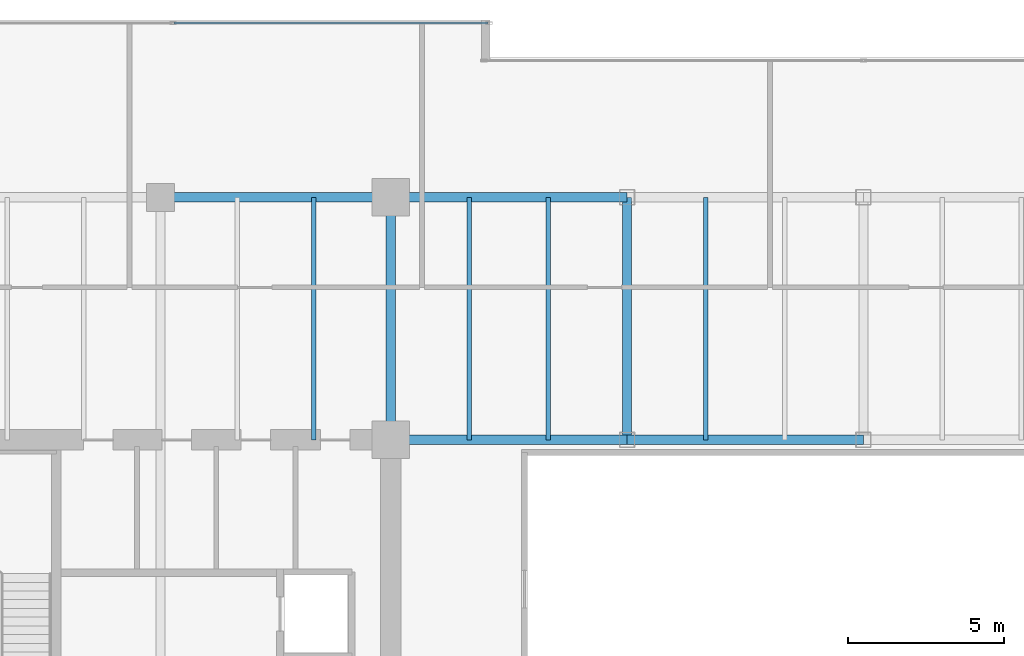
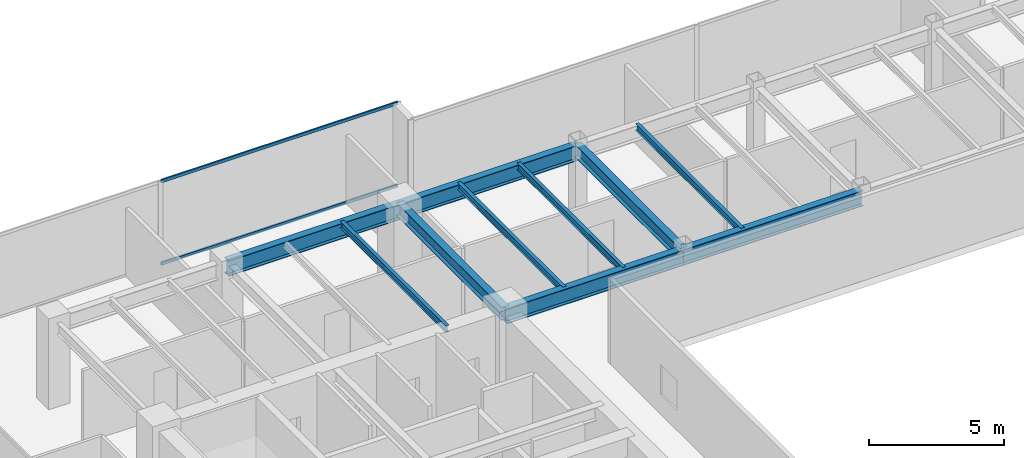
# One storey, part 15 of 30: 10 beams, 2 members, 1 element without a shape of its own.
"""IFC4 building model written with IfcOpenShell, lengths in metres."""

from ifc_helpers import new_model, si_unit, direction, frame, origin, origin_2d, place, context, subcontext, project, spatial, hollow_rectangle, i_section, extrude, source, transform, mapped, material, layer, layer_set, material_profile, profile_set, type_object, type_shapes, element, aggregate, save


model = new_model("IFC4")

# Units and contexts
model_context = context("Model", 3, precision=1e-05, world=origin(), true_north=direction((0.0, 1.0)))
body_context = subcontext(model_context, "Body", "Model", "MODEL_VIEW")
ifc_project = project(units=[si_unit("LENGTHUNIT", "METRE"), si_unit("AREAUNIT", "SQUARE_METRE"), si_unit("VOLUMEUNIT", "CUBIC_METRE"), si_unit("PLANEANGLEUNIT", "RADIAN"), si_unit("MASSUNIT", "GRAM", prefix="KILO")], contexts=[model_context])

# Site, building, storey
site_placement = place(None, origin())
site = spatial("IfcSite", under=ifc_project, at=site_placement, CompositionType="ELEMENT")
building_placement = place(site_placement, origin())
building = spatial("IfcBuilding", under=site, at=building_placement, Name="Haelvirn Gate Laboratories", CompositionType="ELEMENT")
storey_placement = place(building_placement, frame((0.0, 0.0, 170.699951171875)))
storey = spatial("IfcBuildingStorey", under=building, at=storey_placement, Name="L41", CompositionType="ELEMENT", Elevation=170.699951171875)

# Beams
ifc_material_1 = material(Name="Steel SM355", Category="steel")
ifc_material_profile_1 = material_profile(ifc_material_1, i_section(OverallWidth=0.300048828125, OverallDepth=0.699951171875, WebThickness=0.012939453125, FlangeThickness=0.02392578125, at=origin_2d()), Name="H-700x300x13x24")
ifc_profile_set_1 = profile_set([ifc_material_profile_1], Name="Steel SM355")
beam_type_1 = type_object("IfcBeamType", Name="BM-G-700", PredefinedType="BEAM", material=ifc_profile_set_1)
shared_shape_1 = source(origin(), body_context, "Body", "SweptSolid", [
    extrude(i_section(OverallWidth=0.300048828125, OverallDepth=0.699951171875, WebThickness=0.012939453125, FlangeThickness=0.02392578125, at=origin_2d()), origin(), (0.0, 0.0, 1.0), 7.39990234375),
])
beam_1_placement = place(storey_placement, frame((14.800048828125, 41.60009765625, 3.43994140625), z_axis=(1.0, 0.0, 0.0), x_axis=(0.0, 1.0, 0.0)))
element("IfcBeam", 1, at=beam_1_placement, inside=storey, type_object=beam_type_1, Name="L41 Primary Girder Y41.6 (14.8-22.2)", PredefinedType="BEAM", context=body_context, shape_type="MappedRepresentation", body=[
    mapped(shared_shape_1, transform((0.0, 0.0, 0.0), scale=1.0)),
])
shared_shape_2 = source(origin(), body_context, "Body", "SweptSolid", [
    extrude(i_section(OverallWidth=0.300048828125, OverallDepth=0.699951171875, WebThickness=0.012939453125, FlangeThickness=0.02392578125, at=origin_2d()), origin(), (0.0, 0.0, 1.0), 7.60009765625),
])
for number, where, z_axis, x_axis, name in (
    (2, (22.199951171875, 33.800048828125, 3.43994140625), (1.0, 0.0, 0.0), (0.0, 1.0, 0.0), "L41 Primary Girder Y33.8 (22.2-29.8)"),
    (3, (22.199951171875, 41.60009765625, 3.43994140625), (1.0, 0.0, 0.0), (0.0, 1.0, 0.0), "L41 Primary Girder Y41.6 (22.2-29.8)"),
):
    element("IfcBeam", number, at=place(storey_placement, frame(where, z_axis=z_axis, x_axis=x_axis)), inside=storey, type_object=beam_type_1, Name=name, PredefinedType="BEAM", context=body_context, shape_type="MappedRepresentation", body=[
        mapped(shared_shape_2, transform((0.0, 0.0, 0.0), scale=1.0)),
    ])
shared_shape_3 = source(origin(), body_context, "Body", "SweptSolid", [
    extrude(i_section(OverallWidth=0.300048828125, OverallDepth=0.699951171875, WebThickness=0.012939453125, FlangeThickness=0.02392578125, at=origin_2d()), origin(), (0.0, 0.0, 1.0), 7.599853515625),
])
type_shapes(beam_type_1, [shared_shape_1, shared_shape_2, shared_shape_3])
beam_2_placement = place(storey_placement, frame((29.800048828125, 33.800048828125, 3.43994140625), z_axis=(1.0, 0.0, 0.0), x_axis=(0.0, 1.0, 0.0)))
element("IfcBeam", 4, at=beam_2_placement, inside=storey, type_object=beam_type_1, Name="L41 Primary Girder Y33.8 (29.8-37.4)", PredefinedType="BEAM", context=body_context, shape_type="MappedRepresentation", body=[
    mapped(shared_shape_3, transform((0.0, 0.0, 0.0), scale=1.0)),
])
ifc_material_profile_2 = material_profile(ifc_material_1, i_section(OverallWidth=0.14990234375, OverallDepth=0.300048828125, WebThickness=0.006591796875, FlangeThickness=0.009033203125, at=origin_2d()), Name="H-300x150x6.5x9")
ifc_profile_set_2 = profile_set([ifc_material_profile_2], Name="Steel SM355")
beam_type_2 = type_object("IfcBeamType", Name="BM-J-300", PredefinedType="JOIST", material=ifc_profile_set_2)
shared_shape_4 = source(origin(), body_context, "Body", "SweptSolid", [
    extrude(i_section(OverallWidth=0.14990234375, OverallDepth=0.300048828125, WebThickness=0.006591796875, FlangeThickness=0.009033203125, at=origin_2d()), origin(), (0.0, 0.0, 1.0), 7.800048828125),
])
type_shapes(beam_type_2, [shared_shape_4])
for number, where, z_axis, x_axis, name in (
    (5, (19.72998046875, 33.800048828125, 3.64013671875), (0.0, 1.0, 0.0), (-1.0, 0.0, 0.0), "L41 Composite Lab Joist North X19.73"),
    (6, (24.72998046875, 33.800048828125, 3.64013671875), (0.0, 1.0, 0.0), (-1.0, 0.0, 0.0), "L41 Composite Lab Joist North X24.73"),
    (7, (27.27001953125, 33.800048828125, 3.64013671875), (0.0, 1.0, 0.0), (-1.0, 0.0, 0.0), "L41 Composite Lab Joist North X27.27"),
    (8, (32.330078125, 33.800048828125, 3.64013671875), (0.0, 1.0, 0.0), (-1.0, 0.0, 0.0), "L41 Composite Lab Joist North X32.33"),
):
    element("IfcBeam", number, at=place(storey_placement, frame(where, z_axis=z_axis, x_axis=x_axis)), inside=storey, type_object=beam_type_2, Name=name, PredefinedType="JOIST", context=body_context, shape_type="MappedRepresentation", body=[
        mapped(shared_shape_4, transform((0.0, 0.0, 0.0), scale=1.0)),
    ])
ifc_material_profile_3 = material_profile(ifc_material_1, i_section(OverallWidth=0.300048828125, OverallDepth=0.587890625, WebThickness=0.011962890625, FlangeThickness=0.02001953125, at=origin_2d()), Name="H-588x300x12x20")
ifc_profile_set_3 = profile_set([ifc_material_profile_3], Name="Steel SM355")
beam_type_3 = type_object("IfcBeamType", Name="BM-G-588", PredefinedType="BEAM", material=ifc_profile_set_3)
shared_shape_5 = source(origin(), body_context, "Body", "SweptSolid", [
    extrude(i_section(OverallWidth=0.300048828125, OverallDepth=0.587890625, WebThickness=0.011962890625, FlangeThickness=0.02001953125, at=origin_2d()), origin(), (0.0, 0.0, 1.0), 7.800048828125),
])
type_shapes(beam_type_3, [shared_shape_5])
for number, where, z_axis, x_axis, name in (
    (9, (22.199951171875, 33.800048828125, 3.49609375), (0.0, 1.0, 0.0), (-1.0, 0.0, 0.0), "L41 Frame Girder X22.2 (33.8-41.6)"),
    (10, (29.800048828125, 33.800048828125, 3.49609375), (0.0, 1.0, 0.0), (-1.0, 0.0, 0.0), "L41 Frame Girder X29.8 (33.8-41.6)"),
):
    element("IfcBeam", number, at=place(storey_placement, frame(where, z_axis=z_axis, x_axis=x_axis)), inside=storey, type_object=beam_type_3, Name=name, PredefinedType="BEAM", context=body_context, shape_type="MappedRepresentation", body=[
        mapped(shared_shape_5, transform((0.0, 0.0, 0.0), scale=1.0)),
    ])

# Curtain wall, members
ifc_material_2 = material(Name="Anodised bronze unitised aluminium & triple low-E glass", Category="aluminium")
ifc_layer = layer(ifc_material_2, 0.179931640625, Name="CW-SYS-3")
ifc_layer_set = layer_set([ifc_layer], Name="Anodised bronze unitised aluminium & triple low-E glass")
curtain_wall_type = type_object("IfcCurtainWallType", Name="CW-SYS-3", PredefinedType="NOTDEFINED", material=ifc_layer_set)
curtain_wall_placement = place(storey_placement, origin())
curtain_wall = element("IfcCurtainWall", 11, at=curtain_wall_placement, inside=storey, type_object=curtain_wall_type, Name="L41 Unitised Curtain Wall CW-L41-P0-E14-1", PredefinedType="NOTDEFINED")
ifc_material_3 = material(Name="Extruded aluminium 6063-T6 (anodised bronze)", Category="aluminium")
ifc_material_profile_4 = material_profile(ifc_material_3, hollow_rectangle(XDim=0.06494140625, YDim=0.139892578125, WallThickness=0.00390625, at=origin_2d()), Name="CWT-140x65x4")
ifc_profile_set_4 = profile_set([ifc_material_profile_4], Name="Extruded aluminium 6063-T6 (anodised bronze)")
member_type = type_object("IfcMemberType", Name="CWT-T140", PredefinedType="USERDEFINED", material=ifc_profile_set_4)
shared_shape_6 = source(origin(), body_context, "Body", "SweptSolid", [
    extrude(hollow_rectangle(XDim=0.06494140625, YDim=0.139892578125, WallThickness=0.00390625, at=origin_2d()), origin(), (0.0, 0.0, 1.0), 10.08740234375),
])
type_shapes(member_type, [shared_shape_6])
member_1_placement = place(storey_placement, frame((15.237548828125, 47.199951171875, 0.032470703125), z_axis=(1.0, 0.0, 0.0), x_axis=(0.0, 1.0, 0.0)))
member_1 = element("IfcMember", 12, at=member_1_placement, type_object=member_type, Name="CW3 transom 2.1", ObjectType="TRANSOM", PredefinedType="USERDEFINED", context=body_context, shape_type="MappedRepresentation", body=[
    mapped(shared_shape_6, transform((0.0, 0.0, 0.0), scale=1.0)),
])
member_2_placement = place(storey_placement, frame((15.237548828125, 47.199951171875, 3.757568359375), z_axis=(1.0, 0.0, 0.0), x_axis=(0.0, 1.0, 0.0)))
member_2 = element("IfcMember", 13, at=member_2_placement, type_object=member_type, Name="CW3 transom 2.2", ObjectType="TRANSOM", PredefinedType="USERDEFINED", context=body_context, shape_type="MappedRepresentation", body=[
    mapped(shared_shape_6, transform((0.0, 0.0, 0.0), scale=1.0)),
])
aggregate(curtain_wall, [member_1, member_2])

save(model, "model.ifc")
